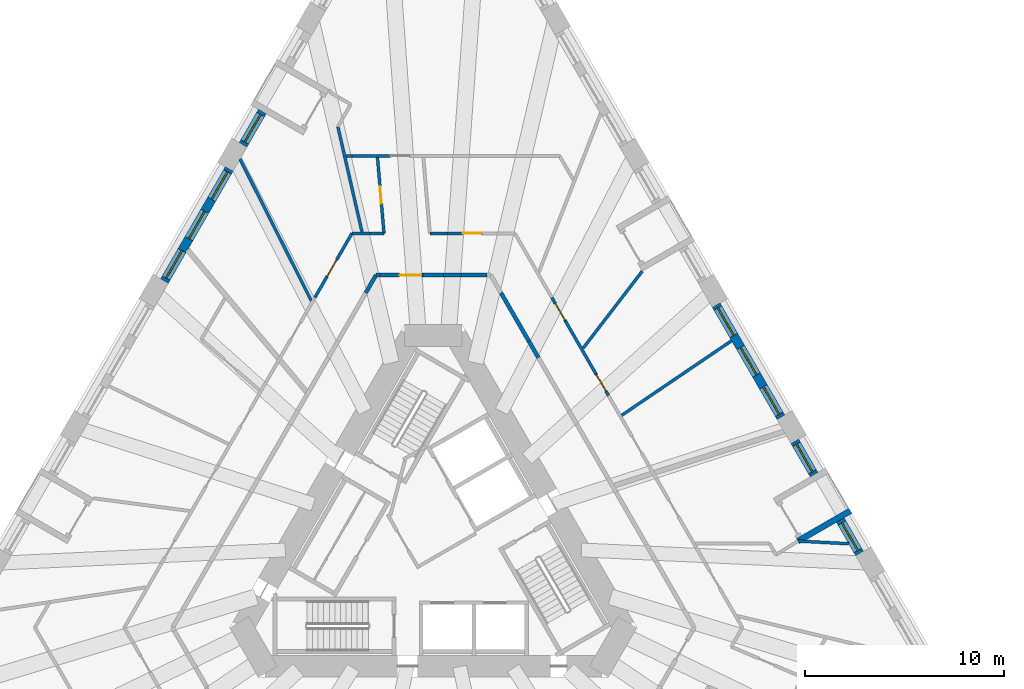
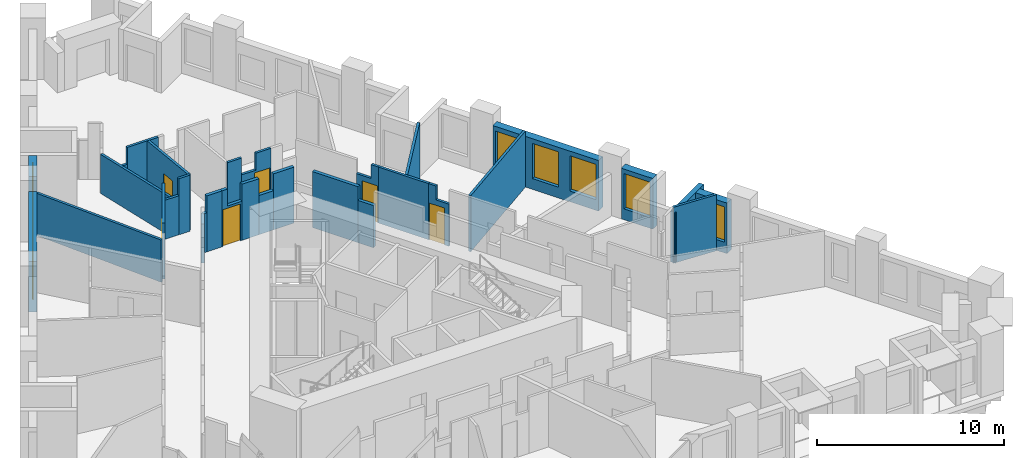
# One storey, part 8 of 14: 31 walls, 9 windows, 6 doors, 15 openings.
"""IFC4 building model written with IfcOpenShell, lengths in metres."""

from ifc_helpers import new_model, si_unit, direction, frame, frame_2d, origin, place, context, subcontext, project, spatial, polyline, rectangle, outline, extrude, material, layer, layer_set, type_object, element, fill, save


model = new_model("IFC4")

# Units and contexts
model_context = context("Model", 3, precision=1e-05, world=origin(), true_north=direction((0.0, 1.0)))
body_context = subcontext(model_context, "Body", "Model", "MODEL_VIEW")
ifc_project = project(units=[si_unit("LENGTHUNIT", "METRE"), si_unit("AREAUNIT", "SQUARE_METRE"), si_unit("VOLUMEUNIT", "CUBIC_METRE"), si_unit("PLANEANGLEUNIT", "RADIAN"), si_unit("MASSUNIT", "GRAM", prefix="KILO")], contexts=[model_context])

# Site, building, storey
site_placement = place(None, origin())
site = spatial("IfcSite", under=ifc_project, at=site_placement, CompositionType="ELEMENT")
building_placement = place(site_placement, origin())
building = spatial("IfcBuilding", under=site, at=building_placement, Name="Tramontana Tower", CompositionType="ELEMENT")
storey_placement = place(building_placement, frame((0.0, 0.0, 42.0)))
storey = spatial("IfcBuildingStorey", under=building, at=storey_placement, Name="L08", CompositionType="ELEMENT", Elevation=42.0)

# Walls
ifc_material_1 = material(Name="Blockwork", Category="masonry")
ifc_layer_1 = layer(ifc_material_1, 0.199951171875)
ifc_layer_set_1 = layer_set([ifc_layer_1], Name="ENTRY WALL 200")
wall_type_1 = type_object("IfcWallType", Name="ENTRY WALL 200", PredefinedType="SOLIDWALL", material=ifc_layer_set_1)
wall_1_placement = place(storey_placement, frame((3.404296875, 12.603515625, 0.0), z_axis=(0.0, 0.0, 1.0), x_axis=(0.500000186108, -0.866025296335, 0.0)))
element("IfcWall", 1, at=wall_1_placement, inside=storey, type_object=wall_type_1, Name="Wall v02-ew0-1", PredefinedType="SOLIDWALL", context=body_context, shape_type="SweptSolid", body=[
    extrude(rectangle(XDim=2.8154296875, YDim=0.199951171875, at=frame_2d((1.40771484375, 0.0))), origin(), (0.0, 0.0, 1.0), 3.64990234375),
])
wall_2_placement = place(storey_placement, frame((4.81201171875, 10.165283203125, 0.0), z_axis=(0.0, 0.0, 1.0), x_axis=(0.500174821557, -0.865924446982, 0.0)))
element("IfcWall", 2, at=wall_2_placement, inside=storey, type_object=wall_type_1, Name="Wall v02-ew0-2", PredefinedType="SOLIDWALL", context=body_context, shape_type="SweptSolid", body=[
    extrude(rectangle(XDim=0.949951171875, YDim=0.199951171875, at=frame_2d((0.47509765625, 0.0))), origin(), (0.0, 0.0, 1.0), 2.75),
])
wall_3_placement = place(storey_placement, frame((-3.404296875, 12.603515625, 0.0), z_axis=(0.0, 0.0, 1.0), x_axis=(0.499994660107, 0.866028486751, 0.0)))
element("IfcWall", 3, at=wall_3_placement, inside=storey, type_object=wall_type_1, Name="Wall v02-ew4-10", PredefinedType="SOLIDWALL", context=body_context, shape_type="SweptSolid", body=[
    extrude(rectangle(XDim=1.03515625, YDim=0.199951171875, at=frame_2d((0.517578125, 0.0))), origin(), (0.0, 0.0, 1.0), 2.550048828125),
])
wall_4_placement = place(storey_placement, frame((-2.88671875, 13.5, 0.0), z_axis=(0.0, 0.0, 1.0), x_axis=(1.0, 0.0, 0.0)))
element("IfcWall", 4, at=wall_4_placement, inside=storey, type_object=wall_type_1, Name="Wall v02-ew5-0", PredefinedType="SOLIDWALL", context=body_context, shape_type="SweptSolid", body=[
    extrude(rectangle(XDim=0.197265625, YDim=0.199951171875, at=frame_2d((0.0986328125, 0.0))), origin(), (0.0, 0.0, 1.0), 2.550048828125),
])
wall_5_placement = place(storey_placement, frame((-2.689453125, 13.5, 0.0), z_axis=(0.0, 0.0, 1.0), x_axis=(1.0, 0.0, 0.0)))
element("IfcWall", 5, at=wall_5_placement, inside=storey, type_object=wall_type_1, Name="Wall v02-ew5-1", PredefinedType="SOLIDWALL", context=body_context, shape_type="SweptSolid", body=[
    extrude(rectangle(XDim=0.936279296875, YDim=0.199951171875, at=frame_2d((0.46826171875, 0.0))), origin(), (0.0, 0.0, 1.0), 3.64990234375),
])

# Wall, opening, door
wall_6_placement = place(storey_placement, frame((-0.520263671875, 13.5, 0.0), z_axis=(0.0, 0.0, 1.0), x_axis=(-1.0, 0.0, 0.0)))
wall_6 = element("IfcWall", 6, at=wall_6_placement, inside=storey, type_object=wall_type_1, Name="Wall v02-ew5-2", PredefinedType="SOLIDWALL", context=body_context, shape_type="SweptSolid", body=[
    extrude(outline(polyline([(0.0, 0.0), (1.23291015625, 0.0), (1.23291015625, 3.64990234375), (0.90234375, 3.64990234375), (0.90234375, 2.550048828125), (0.0, 2.550048828125), (0.0, 0.0)])), frame((0.0, 0.10009765625, 0.0), z_axis=(0.0, -1.0, 0.0), x_axis=(1.0, 0.0, 0.0)), (0.0, 0.0, 1.0), 0.199951171875),
])
opening_1_placement = place(wall_6_placement, frame((0.082763671875, 0.0, 0.0)))
opening_1 = element("IfcOpeningElement", 7, at=opening_1_placement, cuts=wall_6, Name="Opening B0C-27", PredefinedType="OPENING", context=body_context, shape_type="SweptSolid", body=[
    extrude(rectangle(XDim=1.10009765625, YDim=2.39990234375, at=frame_2d((0.550048828125, 1.199951171875))), frame((0.0, 0.10986328125, 0.0), z_axis=(0.0, -1.0, 0.0), x_axis=(1.0, 0.0, 0.0)), (0.0, 0.0, 1.0), 0.219970703125),
])
ifc_material_2 = material(Name="Painted timber", Category="wood")
door_type_1 = type_object("IfcDoorType", Name="DOOR ENTRY 1100", OperationType="SINGLE_SWING_LEFT", PredefinedType="DOOR", material=ifc_material_2)
door_1_placement = place(opening_1_placement, origin())
door_1 = element("IfcDoor", 8, at=door_1_placement, inside=storey, type_object=door_type_1, Name="Door B0C-27", OperationType="SINGLE_SWING_LEFT", OverallHeight=2.39990234375, OverallWidth=1.10009765625, PredefinedType="DOOR", context=body_context, shape_type="SweptSolid", body=[
    extrude(rectangle(XDim=1.10009765625, YDim=2.39990234375, at=frame_2d((0.550048828125, 1.199951171875))), frame((0.0, 0.02490234375, 0.0), z_axis=(0.0, -1.0, 0.0), x_axis=(1.0, 0.0, 0.0)), (0.0, 0.0, 1.0), 0.050048828125),
])
fill(opening_1, door_1)

# Walls
wall_7_placement = place(storey_placement, frame((-0.520263671875, 13.5, 0.0), z_axis=(0.0, 0.0, 1.0), x_axis=(1.0, 0.0, 0.0)))
element("IfcWall", 9, at=wall_7_placement, inside=storey, type_object=wall_type_1, Name="Wall v02-ew5-3", PredefinedType="SOLIDWALL", context=body_context, shape_type="SweptSolid", body=[
    extrude(rectangle(XDim=1.04052734375, YDim=0.199951171875, at=frame_2d((0.520263671875, 0.0))), origin(), (0.0, 0.0, 1.0), 3.64990234375),
])
wall_8_placement = place(storey_placement, frame((0.520263671875, 13.5, 0.0), z_axis=(0.0, 0.0, 1.0), x_axis=(1.0, 0.0, 0.0)))
element("IfcWall", 10, at=wall_8_placement, inside=storey, type_object=wall_type_1, Name="Wall v02-ew5-4", PredefinedType="SOLIDWALL", context=body_context, shape_type="SweptSolid", body=[
    extrude(rectangle(XDim=0.90234375, YDim=0.199951171875, at=frame_2d((0.451171875, 0.0))), origin(), (0.0, 0.0, 1.0), 2.550048828125),
])
wall_9_placement = place(storey_placement, frame((1.422607421875, 13.5, 0.0), z_axis=(0.0, 0.0, 1.0), x_axis=(1.0, 0.0, 0.0)))
element("IfcWall", 11, at=wall_9_placement, inside=storey, type_object=wall_type_1, Name="Wall v02-ew5-5", PredefinedType="SOLIDWALL", context=body_context, shape_type="SweptSolid", body=[
    extrude(rectangle(XDim=1.266845703125, YDim=0.199951171875, at=frame_2d((0.63330078125, 0.0))), origin(), (0.0, 0.0, 1.0), 3.64990234375),
])

# Wall, opening, window
ifc_material_3 = material(Name="Precast concrete 60 MPa", Category="concrete")
ifc_layer_2 = layer(ifc_material_3, 0.449951171875)
ifc_layer_set_2 = layer_set([ifc_layer_2], Name="Precast concrete 60 MPa, 450 mm")
wall_type_2 = type_object("IfcWallType", Name="EW1 Stone-faced precast wall 450", PredefinedType="SOLIDWALL", material=ifc_layer_set_2)
wall_10_placement = place(storey_placement, frame((-8.61181640625, 21.73388671875, 0.0), z_axis=(0.0, 0.0, 1.0), x_axis=(-0.500038474733, -0.866003189247, 0.0)))
wall_10 = element("IfcWall", 12, at=wall_10_placement, inside=storey, type_object=wall_type_2, Name="External wall L08 face 0 bay 2", PredefinedType="SOLIDWALL", context=body_context, shape_type="SweptSolid", body=[
    extrude(rectangle(XDim=1.939208984375, YDim=0.449951171875, at=frame_2d((0.9697265625, 0.0))), origin(), (0.0, 0.0, 1.0), 3.300048828125),
])
opening_2_placement = place(wall_10_placement, frame((0.169677734375, 0.0, 0.699951171875)))
opening_2 = element("IfcOpeningElement", 13, at=opening_2_placement, cuts=wall_10, Name="Opening M1", PredefinedType="OPENING", context=body_context, shape_type="SweptSolid", body=[
    extrude(rectangle(XDim=1.60009765625, YDim=2.300048828125, at=frame_2d((0.800048828125, 1.14990234375))), frame((0.0, 0.23486328125, 0.0), z_axis=(0.0, -1.0, 0.0), x_axis=(1.0, 0.0, 0.0)), (0.0, 0.0, 1.0), 0.469970703125),
])
ifc_material_4 = material(Name="Aluminum frame, double glazing unit", Category="aluminium")
window_type = type_object("IfcWindowType", Name="M1 Window 1.6 x 2.3", PartitioningType="SINGLE_PANEL", PredefinedType="WINDOW", material=ifc_material_4)
window_1_placement = place(opening_2_placement, origin())
window_1 = element("IfcWindow", 14, at=window_1_placement, inside=storey, type_object=window_type, Name="Window M1 L08 face 0 module 6", OverallHeight=2.300048828125, OverallWidth=1.60009765625, PartitioningType="SINGLE_PANEL", PredefinedType="WINDOW", context=body_context, shape_type="SweptSolid", body=[
    extrude(rectangle(XDim=1.60009765625, YDim=2.300048828125, at=frame_2d((0.800048828125, 1.14990234375))), frame((0.0, 0.030029296875, 0.0), z_axis=(0.0, -1.0, 0.0), x_axis=(1.0, 0.0, 0.0)), (0.0, 0.0, 1.0), 0.06005859375),
])
fill(opening_2, window_1)

# Wall, openings, windows
wall_11_placement = place(storey_placement, frame((-10.281494140625, 18.842041015625, 0.0), z_axis=(0.0, 0.0, 1.0), x_axis=(-0.500002371706, -0.866024034475, 0.0)))
wall_11 = element("IfcWall", 15, at=wall_11_placement, inside=storey, type_object=wall_type_2, Name="External wall L08 face 0 bay 3", PredefinedType="SOLIDWALL", context=body_context, shape_type="SweptSolid", body=[
    extrude(rectangle(XDim=6.51806640625, YDim=0.449951171875, at=frame_2d((3.259033203125, 0.0))), origin(), (0.0, 0.0, 1.0), 3.300048828125),
])
opening_3_placement = place(wall_11_placement, frame((0.169677734375, 0.0, 0.699951171875)))
opening_3 = element("IfcOpeningElement", 16, at=opening_3_placement, cuts=wall_11, Name="Opening M1", PredefinedType="OPENING", context=body_context, shape_type="SweptSolid", body=[
    extrude(rectangle(XDim=1.60009765625, YDim=2.300048828125, at=frame_2d((0.800048828125, 1.14990234375))), frame((0.0, 0.23486328125, 0.0), z_axis=(0.0, -1.0, 0.0), x_axis=(1.0, 0.0, 0.0)), (0.0, 0.0, 1.0), 0.469970703125),
])
opening_4_placement = place(wall_11_placement, frame((2.458984375, 0.0, 0.699951171875)))
opening_4 = element("IfcOpeningElement", 17, at=opening_4_placement, cuts=wall_11, Name="Opening M1", PredefinedType="OPENING", context=body_context, shape_type="SweptSolid", body=[
    extrude(rectangle(XDim=1.60009765625, YDim=2.300048828125, at=frame_2d((0.800048828125, 1.14990234375))), frame((0.0, 0.23486328125, 0.0), z_axis=(0.0, -1.0, 0.0), x_axis=(1.0, 0.0, 0.0)), (0.0, 0.0, 1.0), 0.469970703125),
])
opening_5_placement = place(wall_11_placement, frame((4.748291015625, 0.0, 0.699951171875)))
opening_5 = element("IfcOpeningElement", 18, at=opening_5_placement, cuts=wall_11, Name="Opening M1", PredefinedType="OPENING", context=body_context, shape_type="SweptSolid", body=[
    extrude(rectangle(XDim=1.60009765625, YDim=2.300048828125, at=frame_2d((0.800048828125, 1.14990234375))), frame((0.0, 0.23486328125, 0.0), z_axis=(0.0, -1.0, 0.0), x_axis=(1.0, 0.0, 0.0)), (0.0, 0.0, 1.0), 0.469970703125),
])
window_2_placement = place(opening_3_placement, origin())
window_2 = element("IfcWindow", 19, at=window_2_placement, inside=storey, type_object=window_type, Name="Window M1 L08 face 0 module 7", OverallHeight=2.300048828125, OverallWidth=1.60009765625, PartitioningType="SINGLE_PANEL", PredefinedType="WINDOW", context=body_context, shape_type="SweptSolid", body=[
    extrude(rectangle(XDim=1.60009765625, YDim=2.300048828125, at=frame_2d((0.800048828125, 1.14990234375))), frame((0.0, 0.030029296875, 0.0), z_axis=(0.0, -1.0, 0.0), x_axis=(1.0, 0.0, 0.0)), (0.0, 0.0, 1.0), 0.06005859375),
])
fill(opening_3, window_2)
window_3_placement = place(opening_4_placement, origin())
window_3 = element("IfcWindow", 20, at=window_3_placement, inside=storey, type_object=window_type, Name="Window M1 L08 face 0 module 8", OverallHeight=2.300048828125, OverallWidth=1.60009765625, PartitioningType="SINGLE_PANEL", PredefinedType="WINDOW", context=body_context, shape_type="SweptSolid", body=[
    extrude(rectangle(XDim=1.60009765625, YDim=2.300048828125, at=frame_2d((0.800048828125, 1.14990234375))), frame((0.0, 0.030029296875, 0.0), z_axis=(0.0, -1.0, 0.0), x_axis=(1.0, 0.0, 0.0)), (0.0, 0.0, 1.0), 0.06005859375),
])
fill(opening_4, window_3)
window_4_placement = place(opening_5_placement, origin())
window_4 = element("IfcWindow", 21, at=window_4_placement, inside=storey, type_object=window_type, Name="Window M1 L08 face 0 module 9", OverallHeight=2.300048828125, OverallWidth=1.60009765625, PartitioningType="SINGLE_PANEL", PredefinedType="WINDOW", context=body_context, shape_type="SweptSolid", body=[
    extrude(rectangle(XDim=1.60009765625, YDim=2.300048828125, at=frame_2d((0.800048828125, 1.14990234375))), frame((0.0, 0.030029296875, 0.0), z_axis=(0.0, -1.0, 0.0), x_axis=(1.0, 0.0, 0.0)), (0.0, 0.0, 1.0), 0.06005859375),
])
fill(opening_5, window_4)

# Wall, opening, window
wall_12_placement = place(storey_placement, frame((21.45849609375, -0.51708984375, 0.0), z_axis=(0.0, 0.0, 1.0), x_axis=(-0.49998396455, 0.866034661658, 0.0)))
wall_12 = element("IfcWall", 22, at=wall_12_placement, inside=storey, type_object=wall_type_2, Name="External wall L08 face 2 bay 3", PredefinedType="SOLIDWALL", context=body_context, shape_type="SweptSolid", body=[
    extrude(rectangle(XDim=1.939453125, YDim=0.449951171875, at=frame_2d((0.9697265625, 0.0))), origin(), (0.0, 0.0, 1.0), 3.300048828125),
])
opening_6_placement = place(wall_12_placement, frame((0.169677734375, 0.0, 0.699951171875)))
opening_6 = element("IfcOpeningElement", 23, at=opening_6_placement, cuts=wall_12, Name="Opening M1", PredefinedType="OPENING", context=body_context, shape_type="SweptSolid", body=[
    extrude(rectangle(XDim=1.60009765625, YDim=2.300048828125, at=frame_2d((0.800048828125, 1.14990234375))), frame((0.0, 0.23486328125, 0.0), z_axis=(0.0, -1.0, 0.0), x_axis=(1.0, 0.0, 0.0)), (0.0, 0.0, 1.0), 0.469970703125),
])
window_5_placement = place(opening_6_placement, origin())
window_5 = element("IfcWindow", 24, at=window_5_placement, inside=storey, type_object=window_type, Name="Window M1 L08 face 2 module 7", OverallHeight=2.300048828125, OverallWidth=1.60009765625, PartitioningType="SINGLE_PANEL", PredefinedType="WINDOW", context=body_context, shape_type="SweptSolid", body=[
    extrude(rectangle(XDim=1.60009765625, YDim=2.300048828125, at=frame_2d((0.800048828125, 1.14990234375))), frame((0.0, 0.030029296875, 0.0), z_axis=(0.0, -1.0, 0.0), x_axis=(1.0, 0.0, 0.0)), (0.0, 0.0, 1.0), 0.06005859375),
])
fill(opening_6, window_5)

wall_13_placement = place(storey_placement, frame((19.1689453125, 3.4482421875, 0.0), z_axis=(0.0, 0.0, 1.0), x_axis=(-0.499944052521, 0.866057702667, 0.0)))
wall_13 = element("IfcWall", 25, at=wall_13_placement, inside=storey, type_object=wall_type_2, Name="External wall L08 face 2 bay 3", PredefinedType="SOLIDWALL", context=body_context, shape_type="SweptSolid", body=[
    extrude(rectangle(XDim=1.939208984375, YDim=0.449951171875, at=frame_2d((0.9697265625, 0.0))), origin(), (0.0, 0.0, 1.0), 3.300048828125),
])
opening_7_placement = place(wall_13_placement, frame((0.169677734375, 0.0, 0.699951171875)))
opening_7 = element("IfcOpeningElement", 26, at=opening_7_placement, cuts=wall_13, Name="Opening M1", PredefinedType="OPENING", context=body_context, shape_type="SweptSolid", body=[
    extrude(rectangle(XDim=1.60009765625, YDim=2.300048828125, at=frame_2d((0.800048828125, 1.14990234375))), frame((0.0, 0.23486328125, 0.0), z_axis=(0.0, -1.0, 0.0), x_axis=(1.0, 0.0, 0.0)), (0.0, 0.0, 1.0), 0.469970703125),
])
window_6_placement = place(opening_7_placement, origin())
window_6 = element("IfcWindow", 27, at=window_6_placement, inside=storey, type_object=window_type, Name="Window M1 L08 face 2 module 9", OverallHeight=2.300048828125, OverallWidth=1.60009765625, PartitioningType="SINGLE_PANEL", PredefinedType="WINDOW", context=body_context, shape_type="SweptSolid", body=[
    extrude(rectangle(XDim=1.60009765625, YDim=2.300048828125, at=frame_2d((0.800048828125, 1.14990234375))), frame((0.0, 0.030029296875, 0.0), z_axis=(0.0, -1.0, 0.0), x_axis=(1.0, 0.0, 0.0)), (0.0, 0.0, 1.0), 0.06005859375),
])
fill(opening_7, window_6)

# Wall, openings, windows
wall_14_placement = place(storey_placement, frame((17.49951171875, 6.340087890625, 0.0), z_axis=(0.0, 0.0, 1.0), x_axis=(-0.500002371706, 0.866024034475, 0.0)))
wall_14 = element("IfcWall", 28, at=wall_14_placement, inside=storey, type_object=wall_type_2, Name="External wall L08 face 2 bay 4", PredefinedType="SOLIDWALL", context=body_context, shape_type="SweptSolid", body=[
    extrude(rectangle(XDim=6.51806640625, YDim=0.449951171875, at=frame_2d((3.259033203125, 0.0))), origin(), (0.0, 0.0, 1.0), 3.300048828125),
])
opening_8_placement = place(wall_14_placement, frame((0.169677734375, 0.0, 0.699951171875)))
opening_8 = element("IfcOpeningElement", 29, at=opening_8_placement, cuts=wall_14, Name="Opening M1", PredefinedType="OPENING", context=body_context, shape_type="SweptSolid", body=[
    extrude(rectangle(XDim=1.60009765625, YDim=2.300048828125, at=frame_2d((0.800048828125, 1.14990234375))), frame((0.0, 0.23486328125, 0.0), z_axis=(0.0, -1.0, 0.0), x_axis=(1.0, 0.0, 0.0)), (0.0, 0.0, 1.0), 0.469970703125),
])
opening_9_placement = place(wall_14_placement, frame((2.458984375, 0.0, 0.699951171875)))
opening_9 = element("IfcOpeningElement", 30, at=opening_9_placement, cuts=wall_14, Name="Opening M1", PredefinedType="OPENING", context=body_context, shape_type="SweptSolid", body=[
    extrude(rectangle(XDim=1.60009765625, YDim=2.300048828125, at=frame_2d((0.800048828125, 1.14990234375))), frame((0.0, 0.23486328125, 0.0), z_axis=(0.0, -1.0, 0.0), x_axis=(1.0, 0.0, 0.0)), (0.0, 0.0, 1.0), 0.469970703125),
])
opening_10_placement = place(wall_14_placement, frame((4.748291015625, 0.0, 0.699951171875)))
opening_10 = element("IfcOpeningElement", 31, at=opening_10_placement, cuts=wall_14, Name="Opening M1", PredefinedType="OPENING", context=body_context, shape_type="SweptSolid", body=[
    extrude(rectangle(XDim=1.60009765625, YDim=2.300048828125, at=frame_2d((0.800048828125, 1.14990234375))), frame((0.0, 0.23486328125, 0.0), z_axis=(0.0, -1.0, 0.0), x_axis=(1.0, 0.0, 0.0)), (0.0, 0.0, 1.0), 0.469970703125),
])
window_7_placement = place(opening_8_placement, origin())
window_7 = element("IfcWindow", 32, at=window_7_placement, inside=storey, type_object=window_type, Name="Window M1 L08 face 2 module 10", OverallHeight=2.300048828125, OverallWidth=1.60009765625, PartitioningType="SINGLE_PANEL", PredefinedType="WINDOW", context=body_context, shape_type="SweptSolid", body=[
    extrude(rectangle(XDim=1.60009765625, YDim=2.300048828125, at=frame_2d((0.800048828125, 1.14990234375))), frame((0.0, 0.030029296875, 0.0), z_axis=(0.0, -1.0, 0.0), x_axis=(1.0, 0.0, 0.0)), (0.0, 0.0, 1.0), 0.06005859375),
])
fill(opening_8, window_7)
window_8_placement = place(opening_9_placement, origin())
window_8 = element("IfcWindow", 33, at=window_8_placement, inside=storey, type_object=window_type, Name="Window M1 L08 face 2 module 11", OverallHeight=2.300048828125, OverallWidth=1.60009765625, PartitioningType="SINGLE_PANEL", PredefinedType="WINDOW", context=body_context, shape_type="SweptSolid", body=[
    extrude(rectangle(XDim=1.60009765625, YDim=2.300048828125, at=frame_2d((0.800048828125, 1.14990234375))), frame((0.0, 0.030029296875, 0.0), z_axis=(0.0, -1.0, 0.0), x_axis=(1.0, 0.0, 0.0)), (0.0, 0.0, 1.0), 0.06005859375),
])
fill(opening_9, window_8)
window_9_placement = place(opening_10_placement, origin())
window_9 = element("IfcWindow", 34, at=window_9_placement, inside=storey, type_object=window_type, Name="Window M1 L08 face 2 module 12", OverallHeight=2.300048828125, OverallWidth=1.60009765625, PartitioningType="SINGLE_PANEL", PredefinedType="WINDOW", context=body_context, shape_type="SweptSolid", body=[
    extrude(rectangle(XDim=1.60009765625, YDim=2.300048828125, at=frame_2d((0.800048828125, 1.14990234375))), frame((0.0, 0.030029296875, 0.0), z_axis=(0.0, -1.0, 0.0), x_axis=(1.0, 0.0, 0.0)), (0.0, 0.0, 1.0), 0.06005859375),
])
fill(opening_10, window_9)

# Wall
ifc_material_5 = material(Name="Precast concrete 60 MPa", Category="concrete")
ifc_layer_3 = layer(ifc_material_5, 0.300048828125)
ifc_layer_set_3 = layer_set([ifc_layer_3], Name="LW1 Stone-faced loggia wall 300")
wall_type_3 = type_object("IfcWallType", Name="LW1 Stone-faced loggia wall 300", PredefinedType="SOLIDWALL", material=ifc_layer_set_3)
wall_15_placement = place(storey_placement, frame((20.998291015625, 1.6298828125, 0.0), z_axis=(0.0, 0.0, 1.0), x_axis=(-0.866037623948, -0.499978833458, 0.0)))
element("IfcWall", 35, at=wall_15_placement, inside=storey, type_object=wall_type_3, Name="Loggia return L08 G0S2.7a", PredefinedType="SOLIDWALL", context=body_context, shape_type="SweptSolid", body=[
    extrude(rectangle(XDim=3.050048828125, YDim=0.300048828125, at=frame_2d((1.52490234375, 0.0))), origin(), (0.0, 0.0, 1.0), 3.300048828125),
])

# Wall, opening, door
ifc_material_6 = material(Name="Gypsum board partition")
ifc_layer_4 = layer(ifc_material_6, 0.14990234375)
ifc_layer_set_4 = layer_set([ifc_layer_4], Name="PARTITION 150")
wall_type_4 = type_object("IfcWallType", Name="PARTITION 150", PredefinedType="PARTITIONING", material=ifc_layer_set_4)
wall_16_placement = place(storey_placement, frame((-5.9658203125, 12.366943359375, 0.0), z_axis=(0.0, 0.0, 1.0), x_axis=(0.500007375767, 0.866021145342, 0.0)))
wall_16 = element("IfcWall", 36, at=wall_16_placement, inside=storey, type_object=wall_type_4, Name="Wall v02-pw08-8", PredefinedType="PARTITIONING", context=body_context, shape_type="SweptSolid", body=[
    extrude(rectangle(XDim=3.7333984375, YDim=0.14990234375, at=frame_2d((1.86669921875, 0.0))), origin(), (0.0, 0.0, 1.0), 3.64990234375),
])
opening_11_placement = place(wall_16_placement, frame((1.23046875, 0.0, 0.0)))
opening_11 = element("IfcOpeningElement", 37, at=opening_11_placement, cuts=wall_16, Name="Opening B0C-07", PredefinedType="OPENING", context=body_context, shape_type="SweptSolid", body=[
    extrude(rectangle(XDim=0.949951171875, YDim=2.39990234375, at=frame_2d((0.47509765625, 1.199951171875))), frame((0.0, 0.0849609375, 0.0), z_axis=(0.0, -1.0, 0.0), x_axis=(1.0, 0.0, 0.0)), (0.0, 0.0, 1.0), 0.169921875),
])
ifc_material_7 = material(Name="Painted timber", Category="wood")
door_type_2 = type_object("IfcDoorType", Name="DOOR ROOM 950", OperationType="SINGLE_SWING_LEFT", PredefinedType="DOOR", material=ifc_material_7)
door_2_placement = place(opening_11_placement, origin())
door_2 = element("IfcDoor", 38, at=door_2_placement, inside=storey, type_object=door_type_2, Name="Door B0C-07", OperationType="SINGLE_SWING_LEFT", OverallHeight=2.39990234375, OverallWidth=0.949951171875, PredefinedType="DOOR", context=body_context, shape_type="SweptSolid", body=[
    extrude(rectangle(XDim=0.949951171875, YDim=2.39990234375, at=frame_2d((0.47509765625, 1.199951171875))), frame((0.0, 0.02490234375, 0.0), z_axis=(0.0, -1.0, 0.0), x_axis=(1.0, 0.0, 0.0)), (0.0, 0.0, 1.0), 0.050048828125),
])
fill(opening_11, door_2)

# Walls
wall_17_placement = place(storey_placement, frame((-6.14599609375, 12.205078125, 0.0), z_axis=(0.0, 0.0, 1.0), x_axis=(-0.449743848828, 0.893157584328, 0.0)))
element("IfcWall", 39, at=wall_17_placement, inside=storey, type_object=wall_type_4, Name="Wall v02-pw18-0", PredefinedType="PARTITIONING", context=body_context, shape_type="SweptSolid", body=[
    extrude(rectangle(XDim=7.983642578125, YDim=0.14990234375, at=frame_2d((3.99169921875, 0.0))), origin(), (0.0, 0.0, 1.0), 2.75),
])
wall_18_placement = place(storey_placement, frame((-4.394287109375, 19.5, 0.0), z_axis=(0.0, 0.0, 1.0), x_axis=(1.0, 0.0, 0.0)))
element("IfcWall", 40, at=wall_18_placement, inside=storey, type_object=wall_type_4, Name="Wall v02-pw21-0", PredefinedType="PARTITIONING", context=body_context, shape_type="SweptSolid", body=[
    extrude(rectangle(XDim=0.291259765625, YDim=0.14990234375, at=frame_2d((0.1455078125, 0.0))), origin(), (0.0, 0.0, 1.0), 2.550048828125),
])
wall_19_placement = place(storey_placement, frame((-4.10302734375, 19.5, 0.0), z_axis=(0.0, 0.0, 1.0), x_axis=(1.0, 0.0, 0.0)))
element("IfcWall", 41, at=wall_19_placement, inside=storey, type_object=wall_type_4, Name="Wall v02-pw21-1", PredefinedType="PARTITIONING", context=body_context, shape_type="SweptSolid", body=[
    extrude(rectangle(XDim=1.912353515625, YDim=0.14990234375, at=frame_2d((0.9560546875, 0.0))), origin(), (0.0, 0.0, 1.0), 3.64990234375),
])
wall_20_placement = place(storey_placement, frame((-4.09912109375, 15.60009765625, 0.0), z_axis=(0.0, 0.0, 1.0), x_axis=(1.0, 0.0, 0.0)))
element("IfcWall", 42, at=wall_20_placement, inside=storey, type_object=wall_type_4, Name="Wall v02-pw24-0", PredefinedType="PARTITIONING", context=body_context, shape_type="SweptSolid", body=[
    extrude(rectangle(XDim=0.906494140625, YDim=0.14990234375, at=frame_2d((0.453125, 0.0))), origin(), (0.0, 0.0, 1.0), 2.550048828125),
])
wall_21_placement = place(storey_placement, frame((-3.192626953125, 15.60009765625, 0.0), z_axis=(0.0, 0.0, 1.0), x_axis=(1.0, 0.0, 0.0)))
element("IfcWall", 43, at=wall_21_placement, inside=storey, type_object=wall_type_4, Name="Wall v02-pw24-1", PredefinedType="PARTITIONING", context=body_context, shape_type="SweptSolid", body=[
    extrude(rectangle(XDim=0.705810546875, YDim=0.14990234375, at=frame_2d((0.35302734375, 0.0))), origin(), (0.0, 0.0, 1.0), 3.64990234375),
])
wall_22_placement = place(storey_placement, frame((-3.59423828125, 15.675048828125, 0.0), z_axis=(0.0, 0.0, 1.0), x_axis=(-0.223500672061, 0.974703775302, 0.0)))
element("IfcWall", 44, at=wall_22_placement, inside=storey, type_object=wall_type_4, Name="Wall v02-pw25-0", PredefinedType="PARTITIONING", context=body_context, shape_type="SweptSolid", body=[
    extrude(rectangle(XDim=5.433349609375, YDim=0.14990234375, at=frame_2d((2.716796875, 0.0))), origin(), (0.0, 0.0, 1.0), 2.550048828125),
])

# Wall, opening, door
wall_23_placement = place(storey_placement, frame((-2.48681640625, 15.60009765625, 0.0), z_axis=(0.0, 0.0, 1.0), x_axis=(-0.085092687009, 0.996373039889, 0.0)))
wall_23 = element("IfcWall", 45, at=wall_23_placement, inside=storey, type_object=wall_type_4, Name="Wall v02-pw26", PredefinedType="PARTITIONING", context=body_context, shape_type="SweptSolid", body=[
    extrude(rectangle(XDim=3.8388671875, YDim=0.14990234375, at=frame_2d((1.91943359375, 0.0))), origin(), (0.0, 0.0, 1.0), 3.64990234375),
])
opening_12_placement = place(wall_23_placement, frame((1.494384765625, 0.0, 0.0)))
opening_12 = element("IfcOpeningElement", 46, at=opening_12_placement, cuts=wall_23, Name="Opening B0C-02", PredefinedType="OPENING", context=body_context, shape_type="SweptSolid", body=[
    extrude(rectangle(XDim=0.85009765625, YDim=2.39990234375, at=frame_2d((0.425048828125, 1.199951171875))), frame((0.0, 0.0849609375, 0.0), z_axis=(0.0, -1.0, 0.0), x_axis=(1.0, 0.0, 0.0)), (0.0, 0.0, 1.0), 0.169921875),
])
ifc_material_8 = material(Name="Painted timber", Category="wood")
door_type_3 = type_object("IfcDoorType", Name="DOOR BATH 850", OperationType="SINGLE_SWING_LEFT", PredefinedType="DOOR", material=ifc_material_8)
door_3_placement = place(opening_12_placement, origin())
door_3 = element("IfcDoor", 47, at=door_3_placement, inside=storey, type_object=door_type_3, Name="Door B0C-02", OperationType="SINGLE_SWING_RIGHT", OverallHeight=2.39990234375, OverallWidth=0.85009765625, PredefinedType="DOOR", context=body_context, shape_type="SweptSolid", body=[
    extrude(rectangle(XDim=0.85009765625, YDim=2.39990234375, at=frame_2d((0.425048828125, 1.199951171875))), frame((0.0, 0.02490234375, 0.0), z_axis=(0.0, -1.0, 0.0), x_axis=(1.0, 0.0, 0.0)), (0.0, 0.0, 1.0), 0.050048828125),
])
fill(opening_12, door_3)

# Wall
wall_24_placement = place(storey_placement, frame((-0.178466796875, 15.60009765625, 0.0), z_axis=(0.0, 0.0, 1.0), x_axis=(1.0, 0.0, 0.0)))
element("IfcWall", 48, at=wall_24_placement, inside=storey, type_object=wall_type_4, Name="Wall v02-pw29-0", PredefinedType="PARTITIONING", context=body_context, shape_type="SweptSolid", body=[
    extrude(rectangle(XDim=0.8623046875, YDim=0.14990234375, at=frame_2d((0.43115234375, 0.0))), origin(), (0.0, 0.0, 1.0), 3.64990234375),
])

# Wall, opening, door
wall_25_placement = place(storey_placement, frame((0.683837890625, 15.60009765625, 0.0), z_axis=(0.0, 0.0, 1.0), x_axis=(1.0, 0.0, 0.0)))
wall_25 = element("IfcWall", 49, at=wall_25_placement, inside=storey, type_object=wall_type_4, Name="Wall v02-pw29-1", PredefinedType="PARTITIONING", context=body_context, shape_type="SweptSolid", body=[
    extrude(outline(polyline([(0.0, 0.0), (1.801513671875, 0.0), (1.801513671875, 3.64990234375), (0.877197265625, 3.64990234375), (0.877197265625, 2.550048828125), (0.0, 2.550048828125), (0.0, 0.0)])), frame((0.0, 0.074951171875, 0.0), z_axis=(0.0, -1.0, 0.0), x_axis=(1.0, 0.0, 0.0)), (0.0, 0.0, 1.0), 0.14990234375),
])
opening_13_placement = place(wall_25_placement, frame((0.801513671875, 0.0, 0.0)))
opening_13 = element("IfcOpeningElement", 50, at=opening_13_placement, cuts=wall_25, Name="Opening B0C-01", PredefinedType="OPENING", context=body_context, shape_type="SweptSolid", body=[
    extrude(rectangle(XDim=0.949951171875, YDim=2.39990234375, at=frame_2d((0.47509765625, 1.199951171875))), frame((0.0, 0.0849609375, 0.0), z_axis=(0.0, -1.0, 0.0), x_axis=(1.0, 0.0, 0.0)), (0.0, 0.0, 1.0), 0.169921875),
])
door_4_placement = place(opening_13_placement, origin())
door_4 = element("IfcDoor", 51, at=door_4_placement, inside=storey, type_object=door_type_2, Name="Door B0C-01", OperationType="SINGLE_SWING_LEFT", OverallHeight=2.39990234375, OverallWidth=0.949951171875, PredefinedType="DOOR", context=body_context, shape_type="SweptSolid", body=[
    extrude(rectangle(XDim=0.949951171875, YDim=2.39990234375, at=frame_2d((0.47509765625, 1.199951171875))), frame((0.0, 0.02490234375, 0.0), z_axis=(0.0, -1.0, 0.0), x_axis=(1.0, 0.0, 0.0)), (0.0, 0.0, 1.0), 0.050048828125),
])
fill(opening_13, door_4)

wall_26_placement = place(storey_placement, frame((5.9658203125, 12.366943359375, 0.0), z_axis=(0.0, 0.0, 1.0), x_axis=(0.499982862641, -0.866035297817, 0.0)))
wall_26 = element("IfcWall", 52, at=wall_26_placement, inside=storey, type_object=wall_type_4, Name="Wall v02-pw31-1", PredefinedType="PARTITIONING", context=body_context, shape_type="SweptSolid", body=[
    extrude(outline(polyline([(0.0, 0.0), (1.3525390625, 0.0), (1.352783203125, 3.64990234375), (0.920166015625, 3.64990234375), (0.920166015625, 2.75), (0.0, 2.75), (0.0, 0.0)])), frame((0.0, 0.074951171875, 0.0), z_axis=(0.0, -1.0, 0.0), x_axis=(1.0, 0.0, 0.0)), (0.0, 0.0, 1.0), 0.14990234375),
])
opening_14_placement = place(wall_26_placement, frame((0.352783203125, 0.0, 0.0)))
opening_14 = element("IfcOpeningElement", 53, at=opening_14_placement, cuts=wall_26, Name="Opening B0C-04", PredefinedType="OPENING", context=body_context, shape_type="SweptSolid", body=[
    extrude(rectangle(XDim=0.949951171875, YDim=2.39990234375, at=frame_2d((0.47509765625, 1.199951171875))), frame((0.0, 0.0849609375, 0.0), z_axis=(0.0, -1.0, 0.0), x_axis=(1.0, 0.0, 0.0)), (0.0, 0.0, 1.0), 0.169921875),
])
door_5_placement = place(opening_14_placement, origin())
door_5 = element("IfcDoor", 54, at=door_5_placement, inside=storey, type_object=door_type_2, Name="Door B0C-04", OperationType="SINGLE_SWING_RIGHT", OverallHeight=2.39990234375, OverallWidth=0.949951171875, PredefinedType="DOOR", context=body_context, shape_type="SweptSolid", body=[
    extrude(rectangle(XDim=0.949951171875, YDim=2.39990234375, at=frame_2d((0.47509765625, 1.199951171875))), frame((0.0, 0.02490234375, 0.0), z_axis=(0.0, -1.0, 0.0), x_axis=(1.0, 0.0, 0.0)), (0.0, 0.0, 1.0), 0.050048828125),
])
fill(opening_14, door_5)

# Wall
wall_27_placement = place(storey_placement, frame((6.64208984375, 11.195556640625, 0.0), z_axis=(0.0, 0.0, 1.0), x_axis=(0.499982516597, -0.866035497597, 0.0)))
element("IfcWall", 55, at=wall_27_placement, inside=storey, type_object=wall_type_4, Name="Wall v02-pw31-2", PredefinedType="PARTITIONING", context=body_context, shape_type="SweptSolid", body=[
    extrude(rectangle(XDim=3.087890625, YDim=0.14990234375, at=frame_2d((1.5439453125, 0.0))), origin(), (0.0, 0.0, 1.0), 3.64990234375),
])

# Wall, opening, door
wall_28_placement = place(storey_placement, frame((8.18603515625, 8.521240234375, 0.0), z_axis=(0.0, 0.0, 1.0), x_axis=(0.500096880442, -0.865969462609, 0.0)))
wall_28 = element("IfcWall", 56, at=wall_28_placement, inside=storey, type_object=wall_type_4, Name="Wall v02-pw31-3", PredefinedType="PARTITIONING", context=body_context, shape_type="SweptSolid", body=[
    extrude(outline(polyline([(0.0, 0.0), (1.260498046875, 0.0), (1.260498046875, 2.75), (0.468017578125, 2.75), (0.468017578125, 3.64990234375), (0.0, 3.64990234375), (0.0, 0.0)])), frame((0.0, 0.074951171875, 0.0), z_axis=(0.0, -1.0, 0.0), x_axis=(1.0, 0.0, 0.0)), (0.0, 0.0, 1.0), 0.14990234375),
])
opening_15_placement = place(wall_28_placement, frame((0.050048828125, 0.0, 0.0)))
opening_15 = element("IfcOpeningElement", 57, at=opening_15_placement, cuts=wall_28, Name="Opening B0C-05", PredefinedType="OPENING", context=body_context, shape_type="SweptSolid", body=[
    extrude(rectangle(XDim=0.949951171875, YDim=2.39990234375, at=frame_2d((0.47509765625, 1.199951171875))), frame((0.0, 0.0849609375, 0.0), z_axis=(0.0, -1.0, 0.0), x_axis=(1.0, 0.0, 0.0)), (0.0, 0.0, 1.0), 0.169921875),
])
door_6_placement = place(opening_15_placement, origin())
door_6 = element("IfcDoor", 58, at=door_6_placement, inside=storey, type_object=door_type_2, Name="Door B0C-05", OperationType="SINGLE_SWING_LEFT", OverallHeight=2.39990234375, OverallWidth=0.949951171875, PredefinedType="DOOR", context=body_context, shape_type="SweptSolid", body=[
    extrude(rectangle(XDim=0.949951171875, YDim=2.39990234375, at=frame_2d((0.47509765625, 1.199951171875))), frame((0.0, 0.02490234375, 0.0), z_axis=(0.0, -1.0, 0.0), x_axis=(1.0, 0.0, 0.0)), (0.0, 0.0, 1.0), 0.050048828125),
])
fill(opening_15, door_6)

# Walls
wall_29_placement = place(storey_placement, frame((10.513916015625, 13.689208984375, 0.0), z_axis=(0.0, 0.0, 1.0), x_axis=(-0.609110626565, -0.793085269442, 0.0)))
element("IfcWall", 59, at=wall_29_placement, inside=storey, type_object=wall_type_4, Name="Wall v02-pw36", PredefinedType="PARTITIONING", context=body_context, shape_type="SweptSolid", body=[
    extrude(rectangle(XDim=4.896728515625, YDim=0.14990234375, at=frame_2d((2.4482421875, 0.0))), origin(), (0.0, 0.0, 1.0), 3.64990234375),
])
wall_30_placement = place(storey_placement, frame((15.01513671875, 10.19287109375, 0.0), z_axis=(0.0, 0.0, 1.0), x_axis=(-0.827368617703, -0.561659301035, 0.0)))
element("IfcWall", 60, at=wall_30_placement, inside=storey, type_object=wall_type_4, Name="Wall v02-pw42", PredefinedType="PARTITIONING", context=body_context, shape_type="SweptSolid", body=[
    extrude(rectangle(XDim=6.692626953125, YDim=0.14990234375, at=frame_2d((3.34619140625, 0.0))), origin(), (0.0, 0.0, 1.0), 3.64990234375),
])
wall_31_placement = place(storey_placement, frame((18.35693359375, 0.10498046875, 0.0), z_axis=(0.0, 0.0, 1.0), x_axis=(0.998646622594, -0.052008875995, 0.0)))
element("IfcWall", 61, at=wall_31_placement, inside=storey, type_object=wall_type_4, Name="Wall v02-pw49", PredefinedType="PARTITIONING", context=body_context, shape_type="SweptSolid", body=[
    extrude(rectangle(XDim=2.56298828125, YDim=0.14990234375, at=frame_2d((1.281494140625, 0.0))), origin(), (0.0, 0.0, 1.0), 3.64990234375),
])

save(model, "model.ifc")
